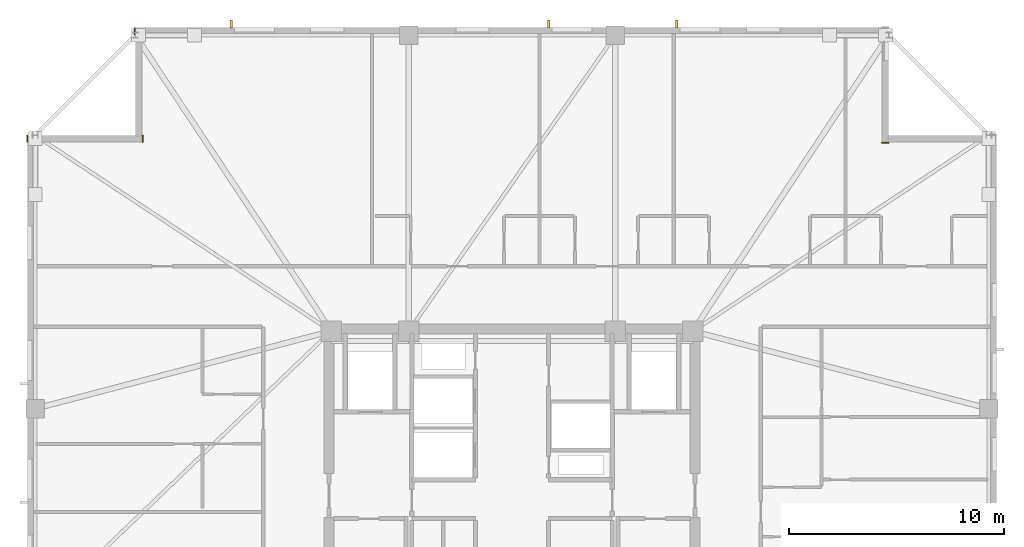
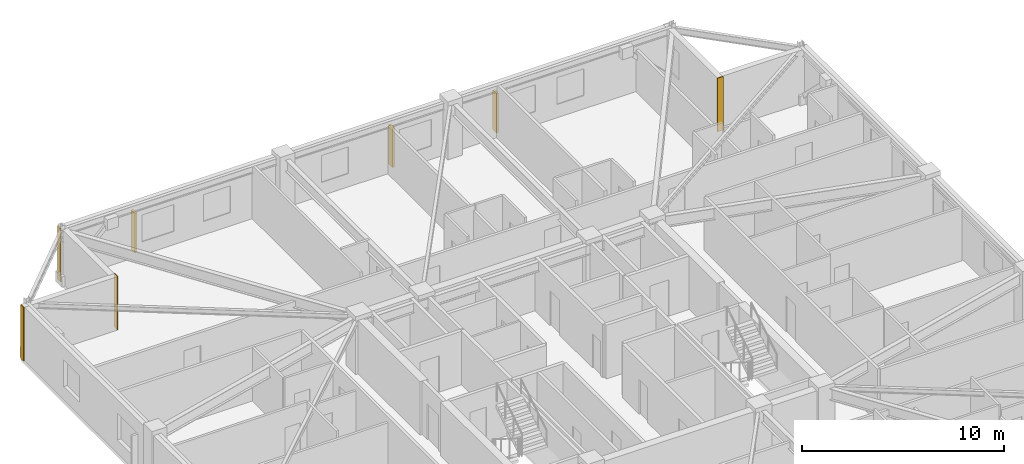
# One storey, part 16 of 17: 4 coverings, 3 shading devices.
"""IFC4 building model written with IfcOpenShell, lengths in metres."""

from ifc_helpers import new_model, si_unit, direction, frame, frame_2d, origin, origin_2d, place, context, subcontext, project, spatial, rectangle, extrude, material, layer, layer_set, type_object, element, save


model = new_model("IFC4")

# Units and contexts
model_context = context("Model", 3, precision=1e-05, world=origin(), true_north=direction((0.0, 1.0)))
body_context = subcontext(model_context, "Body", "Model", "MODEL_VIEW")
ifc_project = project(units=[si_unit("LENGTHUNIT", "METRE"), si_unit("AREAUNIT", "SQUARE_METRE"), si_unit("VOLUMEUNIT", "CUBIC_METRE"), si_unit("PLANEANGLEUNIT", "RADIAN"), si_unit("MASSUNIT", "GRAM", prefix="KILO")], contexts=[model_context])

# Site, building, storey
site_placement = place(None, origin())
site = spatial("IfcSite", under=ifc_project, at=site_placement, CompositionType="ELEMENT")
building_placement = place(site_placement, origin())
building = spatial("IfcBuilding", under=site, at=building_placement, Name="Cairnveth Concourse Tower", CompositionType="ELEMENT")
storey_placement = place(building_placement, frame((0.0, 0.0, 272.5)))
storey = spatial("IfcBuildingStorey", under=building, at=storey_placement, Name="L75", CompositionType="ELEMENT", Elevation=272.5)

# Coverings
ifc_material_1 = material(Name="Dressed Melbourne Bluestone Cladding", Category="masonry")
ifc_layer = layer(ifc_material_1, 0.050048828125)
ifc_layer_set = layer_set([ifc_layer], Name="Dressed Melbourne Bluestone Cladding")
covering_type = type_object("IfcCoveringType", Name="DRESSED BLUESTONE PLINTH CLADDING 50", PredefinedType="CLADDING", material=ifc_layer_set)
for number, where, z_axis, x_axis, name in (
    (1, (29.47998046875, 56.179931640625, 0.0), (0.0, 0.0, 1.0), (0.0, 1.0, 0.0), "Melbourne Bluestone Corner Quoin L75-1139"),
    (2, (34.840087890625, 56.179931640625, 0.0), (0.0, 0.0, 1.0), (0.0, 1.0, 0.0), "Melbourne Bluestone Corner Quoin L75-1140"),
    (3, (34.47998046875, 61.179931640625, 0.0), (0.0, 0.0, 1.0), (0.0, 1.0, 0.0), "Melbourne Bluestone Corner Quoin L75-1141"),
    (4, (69.179931640625, 56.159912109375, 0.0), (0.0, 0.0, 1.0), (1.0, 0.0, 0.0), "Melbourne Bluestone Corner Quoin L75-1143"),
):
    element("IfcCovering", number, at=place(storey_placement, frame(where, z_axis=z_axis, x_axis=x_axis)), inside=storey, type_object=covering_type, Name=name, PredefinedType="CLADDING", context=body_context, shape_type="SweptSolid", body=[
        extrude(rectangle(XDim=0.320068359375, YDim=0.050048828125, at=frame_2d((0.16015625, 0.0))), origin(), (0.0, 0.0, 1.0), 3.239990234375),
    ])

# Shading devices
ifc_material_2 = material(Name="Architectural Bronze Anodised Aluminium 6063-T6", Category="aluminium")
shading_device_type = type_object("IfcShadingDeviceType", Name="GOTHIC BRONZE VERTICAL LANCET FIN", PredefinedType="USERDEFINED", material=ifc_material_2)
for number, where, z_axis, x_axis, name in (
    (5, (38.95263671875, 61.675048828125, 0.0302734375), (0.0, 0.0, 1.0), (1.0, 0.0, 0.0), "Gothic Bronze Vertical Fin L75-6-1"),
    (6, (53.70361328125, 61.675048828125, 0.0302734375), (0.0, 0.0, 1.0), (1.0, 0.0, 0.0), "Gothic Bronze Vertical Fin L75-6-5"),
    (7, (59.654052734375, 61.675048828125, 0.0302734375), (0.0, 0.0, 1.0), (1.0, 0.0, 0.0), "Gothic Bronze Vertical Fin L75-6-7"),
):
    element("IfcShadingDevice", number, at=place(storey_placement, frame(where, z_axis=z_axis, x_axis=x_axis)), inside=storey, type_object=shading_device_type, Name=name, ObjectType="VERTICAL FIN", PredefinedType="USERDEFINED", context=body_context, shape_type="SweptSolid", body=[
        extrude(rectangle(XDim=0.1201171875, YDim=0.360107421875, at=origin_2d()), origin(), (0.0, 0.0, 1.0), 2.387939453125),
    ])

save(model, "model.ifc")
